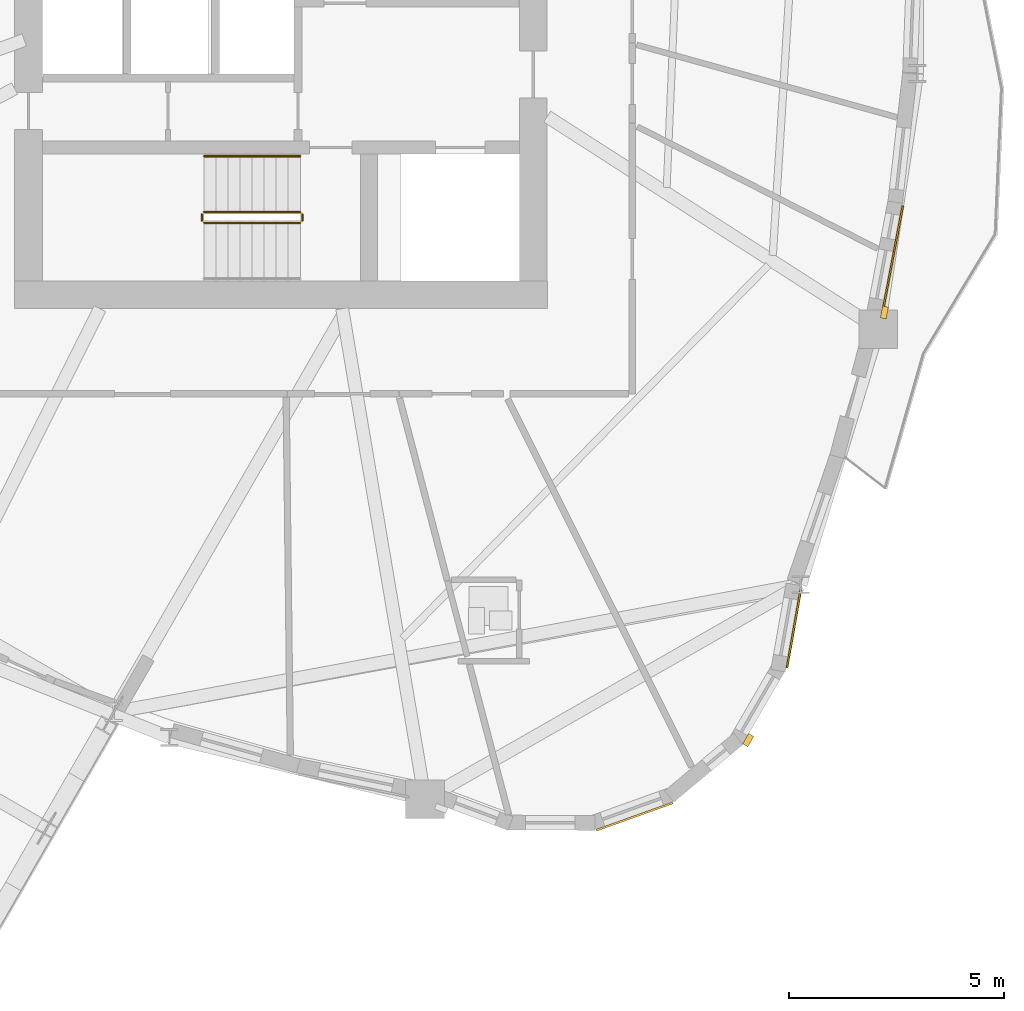
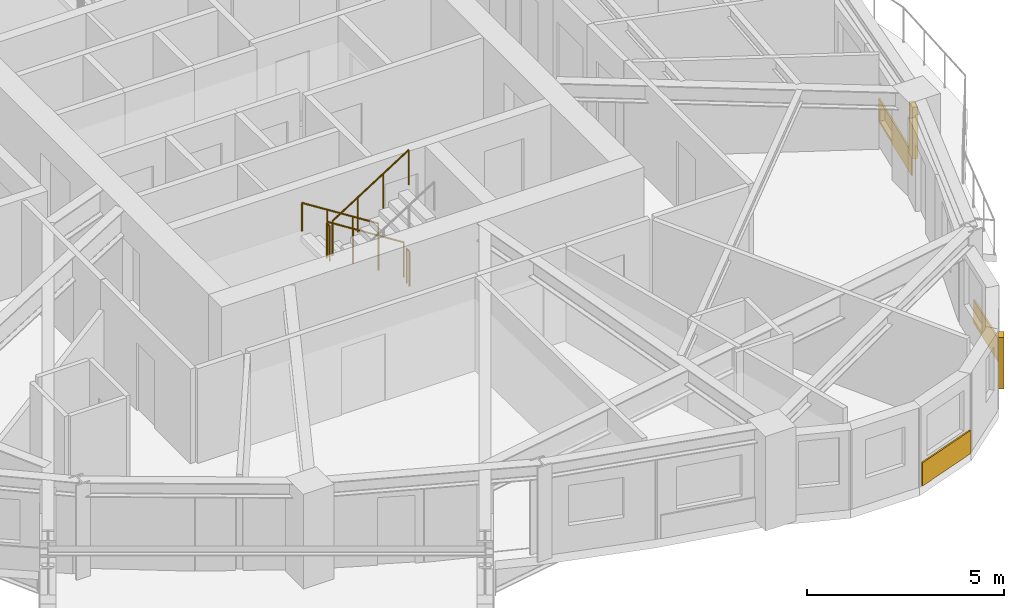
# One storey, part 14 of 17: 5 railings, 3 coverings, 2 shading devices.
"""IFC4 building model written with IfcOpenShell, lengths in metres."""

import ifcopenshell
import ifcopenshell.guid

model = None  # the IFC model being written
_history = None  # IfcOwnerHistory: only IFC2X3 demands one
_inside = {}  # id of a spatial element -> (the spatial element, [elements in it])
_under = {}  # id of a project, library or spatial element -> (it, [spatial elements below it])
_declared = {}  # id of a project -> (the project, [libraries it declares])
_typed = {}  # id of a type object -> (the type object, [elements of that type])
_made_of = {}  # id of a material, layer set ... -> (it, [elements and type objects made of it])


def new_model(schema):
    """Start an empty IFC model of exactly this schema.

    Asked for "IFC4X3", IfcOpenShell would pick the latest addendum, in which some entities
    have other attributes; the version numbers below select the first issue.
    IFC2X3 requires an IfcOwnerHistory on every rooted entity: one is made here for all.
    """
    global model, _history
    if schema == "IFC4X3":
        model = ifcopenshell.file(schema_version=(4, 3, 0, 0))
    else:
        model = ifcopenshell.file(schema=schema)
    _inside.clear()
    _under.clear()
    _declared.clear()
    _typed.clear()
    _made_of.clear()
    _history = None
    if model.schema == "IFC2X3":
        org = make("IfcOrganization", Name="unknown")
        user = make(
            "IfcPersonAndOrganization",
            ThePerson=make("IfcPerson", FamilyName="unknown"),
            TheOrganization=org,
        )
        app = make(
            "IfcApplication",
            ApplicationDeveloper=org,
            Version="unknown",
            ApplicationFullName="unknown",
            ApplicationIdentifier="unknown",
        )
        _history = make(
            "IfcOwnerHistory",
            OwningUser=user,
            OwningApplication=app,
            ChangeAction="ADDED",
            CreationDate=0,
        )
    return model


def make(cls, **values):
    """One entity of the class cls with the attributes given. An attribute that is None is left unset."""
    return model.create_entity(
        cls, **{name: value for name, value in values.items() if value is not None}
    )


def rooted(cls, **values):
    """An entity with a GlobalId (a new one), such as an element, a storey or a relation."""
    return make(cls, GlobalId=ifcopenshell.guid.new(), OwnerHistory=_history, **values)


def si_unit(unit_type, name, prefix=None):
    """IfcSIUnit, for example si_unit("LENGTHUNIT", "METRE", prefix="MILLI")."""
    return make("IfcSIUnit", UnitType=unit_type, Prefix=prefix, Name=name)


def assignment(units):
    """IfcUnitAssignment: the units of a project."""
    return None if units is None else make("IfcUnitAssignment", Units=units)


def point(xyz):
    """IfcCartesianPoint."""
    return None if xyz is None else make("IfcCartesianPoint", Coordinates=xyz)


def direction(xyz):
    """IfcDirection."""
    return None if xyz is None else make("IfcDirection", DirectionRatios=xyz)


def frame(location, z_axis=None, x_axis=None):
    """IfcAxis2Placement3D, a coordinate frame: its origin and axes. An axis left out is left unset."""
    return make(
        "IfcAxis2Placement3D",
        Location=point(location),
        Axis=direction(z_axis),
        RefDirection=direction(x_axis),
    )


def frame_2d(location, x_axis=None):
    """IfcAxis2Placement2D, a coordinate frame in the plane: its origin and x axis."""
    return make(
        "IfcAxis2Placement2D", Location=point(location), RefDirection=direction(x_axis)
    )


def origin():
    """The frame at (0, 0, 0) with its axes left unset."""
    return frame((0.0, 0.0, 0.0))


def origin_2d():
    """The frame at (0, 0) in the plane with its x axis left unset."""
    return frame_2d((0.0, 0.0))


def place(relative_to, where):
    """IfcLocalPlacement: puts the frame where relative to a parent placement (None: the world)."""
    return make(
        "IfcLocalPlacement", PlacementRelTo=relative_to, RelativePlacement=where
    )


def context(
    kind, dimensions, precision=None, world=None, true_north=None, identifier=None
):
    """IfcGeometricRepresentationContext, for example the 3D "Model" context."""
    return make(
        "IfcGeometricRepresentationContext",
        ContextIdentifier=identifier,
        ContextType=kind,
        CoordinateSpaceDimension=dimensions,
        Precision=precision,
        WorldCoordinateSystem=world,
        TrueNorth=true_north,
    )


def subcontext(parent, identifier, kind, view, scale=None):
    """IfcGeometricRepresentationSubContext, for example "Body" below "Model"."""
    return make(
        "IfcGeometricRepresentationSubContext",
        ContextIdentifier=identifier,
        ContextType=kind,
        ParentContext=parent,
        TargetScale=scale,
        TargetView=view,
    )


def project(units=None, contexts=None):
    """IfcProject with its units and contexts."""
    return rooted(
        "IfcProject",
        Name="project",
        RepresentationContexts=contexts,
        UnitsInContext=assignment(units),
    )


def spatial(cls, under=None, at=None, **own):
    """A site, building, storey or space (cls), placed at a placement, below another one or the project."""
    s = rooted(cls, ObjectPlacement=at, **own)
    if under is not None:
        _under.setdefault(under.id(), (under, []))[1].append(s)
    return s


def profile(cls, at=None, kind="AREA", **sizes):
    """A parametric profile (cls). Its sizes go by their IFC names, for example OverallWidth=200.0."""
    return make(cls, ProfileType=kind, Position=at, **sizes)


def rectangle(**sizes):
    """IfcRectangleProfileDef."""
    return profile("IfcRectangleProfileDef", **sizes)


def circle(**sizes):
    """IfcCircleProfileDef."""
    return profile("IfcCircleProfileDef", **sizes)


def extrude(swept, where, along, depth):
    """IfcExtrudedAreaSolid: the profile swept, set in the frame where, extruded along a direction by depth."""
    return make(
        "IfcExtrudedAreaSolid",
        SweptArea=swept,
        Position=where,
        ExtrudedDirection=direction(along),
        Depth=depth,
    )


def shape(context_of_items, identifier, shape_type, items):
    """IfcShapeRepresentation: the items that make up one representation, for example the "Body"."""
    return make(
        "IfcShapeRepresentation",
        ContextOfItems=context_of_items,
        RepresentationIdentifier=identifier,
        RepresentationType=shape_type,
        Items=items,
    )


def source(mapping_origin, context_of_items, identifier, shape_type, items):
    """IfcRepresentationMap: a shape defined once, which mapped items show again and again."""
    return make(
        "IfcRepresentationMap",
        MappingOrigin=mapping_origin,
        MappedRepresentation=shape(context_of_items, identifier, shape_type, items),
    )


def transform(
    local_origin,
    x_axis=None,
    y_axis=None,
    z_axis=None,
    scale=None,
    scale2=None,
    scale3=None,
    uniform=True,
):
    """IfcCartesianTransformationOperator3D, or its non-uniform kind. x_axis, y_axis, z_axis: its Axis1, 2, 3."""
    if uniform:
        return make(
            "IfcCartesianTransformationOperator3D",
            Axis1=direction(x_axis),
            Axis2=direction(y_axis),
            LocalOrigin=point(local_origin),
            Scale=scale,
            Axis3=direction(z_axis),
        )
    return make(
        "IfcCartesianTransformationOperator3DnonUniform",
        Axis1=direction(x_axis),
        Axis2=direction(y_axis),
        LocalOrigin=point(local_origin),
        Scale=scale,
        Axis3=direction(z_axis),
        Scale2=scale2,
        Scale3=scale3,
    )


def mapped(mapping_source, mapping_target):
    """IfcMappedItem: shows the shape of a source again, moved by a transform."""
    return make(
        "IfcMappedItem", MappingSource=mapping_source, MappingTarget=mapping_target
    )


def material(Name=None, Category=None):
    """IfcMaterial."""
    return make("IfcMaterial", Name=Name, Category=Category)


def layer(
    of_material, thickness, ventilated=None, Name=None, Category=None, Priority=None
):
    """IfcMaterialLayer: one layer of a wall or slab, of a material (None: an air gap)."""
    return make(
        "IfcMaterialLayer",
        Material=of_material,
        LayerThickness=thickness,
        IsVentilated=ventilated,
        Name=Name,
        Category=Category,
        Priority=Priority,
    )


def layer_set(layers, Name=None):
    """IfcMaterialLayerSet."""
    return make("IfcMaterialLayerSet", MaterialLayers=layers, LayerSetName=Name)


def made_of(thing, what):
    """Note that an element or type object is made of a material, layer set ...; save() writes the relation."""
    if what is not None:
        _made_of.setdefault(what.id(), (what, []))[1].append(thing)
    return thing


def type_object(cls, material=None, **own):
    """A type object (cls), such as IfcWallType, which elements share."""
    return made_of(rooted(cls, **own), material)


def element(
    cls,
    number,
    at=None,
    inside=None,
    cuts=None,
    type_object=None,
    material=None,
    context=None,
    identifier="Body",
    shape_type=None,
    held_by="IfcProductDefinitionShape",
    body=None,
    shapes=None,
    **own,
):
    """One element of the class cls, such as IfcWall. Its Tag is "e" and its number.

    at: its placement. inside: the storey or other place that contains it. cuts: it is an
    opening in that element (IfcRelVoidsElement). A single representation is given by context,
    identifier, shape_type and body (its items); several are given by shapes. held_by: the class
    of the entity that holds the representations. save() writes the other relations.
    """
    e = rooted(cls, Tag="e%d" % number, ObjectPlacement=at, **own)
    if body is not None:
        shapes = [shape(context, identifier, shape_type, body)]
    if shapes is not None:
        e.Representation = make(held_by, Representations=shapes)
    if inside is not None:
        _inside.setdefault(inside.id(), (inside, []))[1].append(e)
    if cuts is not None:
        rooted(
            "IfcRelVoidsElement", RelatingBuildingElement=cuts, RelatedOpeningElement=e
        )
    if type_object is not None:
        _typed.setdefault(type_object.id(), (type_object, []))[1].append(e)
    return made_of(e, material)


def aggregate(whole, parts):
    """IfcRelAggregates: a whole, such as a stair, and the parts it consists of."""
    return rooted("IfcRelAggregates", RelatingObject=whole, RelatedObjects=parts)


def save(model, path):
    """Write the relations noted so far, then the file.

    IfcRelAggregates (storeys below a building ...), IfcRelContainedInSpatialStructure (elements
    in a storey), IfcRelDefinesByType, IfcRelAssociatesMaterial and IfcRelDeclares: one each for
    every whole, place, type object, material and project.
    """
    for whole, parts in _under.values():
        aggregate(whole, parts)
    for where, things in _inside.values():
        rooted(
            "IfcRelContainedInSpatialStructure",
            RelatedElements=things,
            RelatingStructure=where,
        )
    for kind, things in _typed.values():
        rooted("IfcRelDefinesByType", RelatedObjects=things, RelatingType=kind)
    for what, things in _made_of.values():
        rooted("IfcRelAssociatesMaterial", RelatedObjects=things, RelatingMaterial=what)
    for by, libraries in _declared.values():
        rooted("IfcRelDeclares", RelatingContext=by, RelatedDefinitions=libraries)
    model.write(path)


model = new_model("IFC4")

# Units and contexts
model_context = context("Model", 3, precision=1e-05, world=origin(), true_north=direction((0.0, 1.0)))
body_context = subcontext(model_context, "Body", "Model", "MODEL_VIEW")
ifc_project = project(units=[si_unit("LENGTHUNIT", "METRE"), si_unit("AREAUNIT", "SQUARE_METRE"), si_unit("VOLUMEUNIT", "CUBIC_METRE"), si_unit("PLANEANGLEUNIT", "RADIAN"), si_unit("MASSUNIT", "GRAM", prefix="KILO")], contexts=[model_context])

# Site, building, storey
site_placement = place(None, origin())
site = spatial("IfcSite", under=ifc_project, at=site_placement, CompositionType="ELEMENT")
building_placement = place(site_placement, origin())
building = spatial("IfcBuilding", under=site, at=building_placement, Name="Qafzar Sky-Pleat Residences", CompositionType="ELEMENT")
storey_placement = place(building_placement, frame((0.0, 0.0, 108.800048828125)))
storey = spatial("IfcBuildingStorey", under=building, at=storey_placement, Name="L32", CompositionType="ELEMENT", Elevation=108.800048828125)

# Shading devices
ifc_material_1 = material(Name="Honed Riyadh limestone solar fin", Category="masonry")
ifc_layer_1 = layer(ifc_material_1, 0.139892578125)
ifc_layer_set_1 = layer_set([ifc_layer_1], Name="Honed Riyadh limestone solar fin")
shading_device_type = type_object("IfcShadingDeviceType", Name="SHD-FIN-STONE", PredefinedType="SHUTTER", material=ifc_layer_set_1)
shared_shape_1 = source(origin(), body_context, "Body", "SweptSolid", [
    extrude(rectangle(XDim=0.139892578125, YDim=0.280029296875, at=origin_2d()), origin(), (0.0, 0.0, 1.0), 1.60009765625),
])
for number, where, z_axis, x_axis, name in (
    (1, (41.22900390625, 7.50732421875, 0.599853515625), (0.0, 0.0, 1.0), (0.864874104555, -0.501988827833, 0.0), "L32 Limestone Solar Fin 21"),
    (2, (44.398681640625, 17.462890625, 0.599853515625), (0.0, 0.0, 1.0), (0.982428629764, -0.186638654679, 0.0), "L32 Limestone Solar Fin 25"),
):
    element("IfcShadingDevice", number, at=place(storey_placement, frame(where, z_axis=z_axis, x_axis=x_axis)), inside=storey, type_object=shading_device_type, Name=name, PredefinedType="SHUTTER", context=body_context, shape_type="MappedRepresentation", body=[
        mapped(shared_shape_1, transform((0.0, 0.0, 0.0), x_axis=(1.0, 0.0, 0.0), y_axis=(0.0, 1.0, 0.0), z_axis=(0.0, 0.0, 1.0), scale=1.0)),
    ])

# Coverings
ifc_material_2 = material(Name="Honed Riyadh Tuwaiq limestone cladding", Category="masonry")
ifc_layer_2 = layer(ifc_material_2, 0.044921875)
ifc_layer_set_2 = layer_set([ifc_layer_2], Name="Honed Riyadh Tuwaiq limestone cladding")
covering_type = type_object("IfcCoveringType", Name="COV-CLAD-STONE", PredefinedType="CLADDING", material=ifc_layer_set_2)
shared_shape_2 = source(origin(), body_context, "Body", "SweptSolid", [
    extrude(rectangle(XDim=1.88916015625, YDim=0.044921875, at=origin_2d()), origin(), (0.0, 0.0, 1.0), 0.719970703125),
])
covering_1_placement = place(storey_placement, frame((38.58203125, 5.726806640625, 0.02001953125), z_axis=(0.0, 0.0, 1.0), x_axis=(0.941482948476, 0.337060614325, 0.0)))
element("IfcCovering", 3, at=covering_1_placement, inside=storey, type_object=covering_type, Name="L32 Riyadh Limestone Spandrel Cladding 19", PredefinedType="CLADDING", context=body_context, shape_type="MappedRepresentation", body=[
    mapped(shared_shape_2, transform((0.0, 0.0, 0.0), x_axis=(1.0, 0.0, 0.0), y_axis=(0.0, 1.0, 0.0), z_axis=(0.0, 0.0, 1.0), scale=1.0)),
])
shared_shape_3 = source(origin(), body_context, "Body", "SweptSolid", [
    extrude(rectangle(XDim=1.8369140625, YDim=0.044921875, at=origin_2d()), origin(), (0.0, 0.0, 1.0), 0.719970703125),
])
covering_2_placement = place(storey_placement, frame((42.290283203125, 10.09619140625, 0.02001953125), z_axis=(0.0, 0.0, 1.0), x_axis=(0.174369449256, 0.984680300994, 0.0)))
element("IfcCovering", 4, at=covering_2_placement, inside=storey, type_object=covering_type, Name="L32 Riyadh Limestone Spandrel Cladding 22", PredefinedType="CLADDING", context=body_context, shape_type="MappedRepresentation", body=[
    mapped(shared_shape_3, transform((0.0, 0.0, 0.0), x_axis=(1.0, 0.0, 0.0), y_axis=(0.0, 1.0, 0.0), z_axis=(0.0, 0.0, 1.0), scale=1.0)),
])
shared_shape_4 = source(origin(), body_context, "Body", "SweptSolid", [
    extrude(rectangle(XDim=2.552734375, YDim=0.044921875, at=origin_2d()), origin(), (0.0, 0.0, 1.0), 0.719970703125),
])
covering_3_placement = place(storey_placement, frame((44.588134765625, 18.689697265625, 0.02001953125), z_axis=(0.0, 0.0, 1.0), x_axis=(0.186648735935, 0.982426714505, 0.0)))
element("IfcCovering", 5, at=covering_3_placement, inside=storey, type_object=covering_type, Name="L32 Riyadh Limestone Spandrel Cladding 25", PredefinedType="CLADDING", context=body_context, shape_type="MappedRepresentation", body=[
    mapped(shared_shape_4, transform((0.0, 0.0, 0.0), x_axis=(1.0, 0.0, 0.0), y_axis=(0.0, 1.0, 0.0), z_axis=(0.0, 0.0, 1.0), scale=1.0)),
])

# Railings
ifc_material_3 = material(Name="Painted Steel S355 stair guardrail", Category="steel")
railing_type_1 = type_object("IfcRailingType", Name="RAIL-STAIR-GUARD", PredefinedType="GUARDRAIL", material=ifc_material_3)
shared_shape_5 = source(origin(), body_context, "Body", "SweptSolid", [
    extrude(circle(Radius=0.02392578125, at=origin_2d()), frame((0.0, 0.0, 1.076171875), z_axis=(0.0, -1.0, 0.0), x_axis=(1.0, 0.0, 0.0)), (0.0, 0.0, 1.0), 0.14990234375),
    extrude(circle(Radius=0.02099609375, at=origin_2d()), origin(), (0.0, 0.0, 1.0), 1.052001953125),
    extrude(circle(Radius=0.02099609375, at=origin_2d()), frame((0.0, -0.14990234375, 0.0)), (0.0, 0.0, 1.0), 1.052001953125),
])
for number, where, name in (
    (6, (28.510009765625, 19.75, 1.599853515625), "L32 ST1 stair guard 2"),
    (7, (30.85009765625, 19.75, 0.0), "L32 ST1 stair guard 4"),
):
    element("IfcRailing", number, at=place(storey_placement, frame(where)), inside=storey, type_object=railing_type_1, Name=name, PredefinedType="GUARDRAIL", context=body_context, shape_type="MappedRepresentation", body=[
        mapped(shared_shape_5, transform((0.0, 0.0, 0.0), x_axis=(1.0, 0.0, 0.0), y_axis=(0.0, 1.0, 0.0), z_axis=(0.0, 0.0, 1.0), scale=1.0)),
    ])
shared_shape_6 = source(origin(), body_context, "Body", "SweptSolid", [
    extrude(circle(Radius=0.02392578125, at=origin_2d()), frame((0.0, 0.0, 1.076171875), z_axis=(-0.8442293374, 0.0, 0.53598211339), x_axis=(0.0, -1.0, 0.0)), (0.0, 0.0, 1.0), 2.6533203125),
    extrude(circle(Radius=0.02099609375, at=origin_2d()), origin(), (0.0, 0.0, 1.0), 1.052001953125),
    extrude(circle(Radius=0.02099609375, at=origin_2d()), frame((-0.74658203125, 0.0, 0.47412109375)), (0.0, 0.0, 1.0), 1.052001953125),
    extrude(circle(Radius=0.02099609375, at=origin_2d()), frame((-1.493408203125, 0.0, 0.947998046875)), (0.0, 0.0, 1.0), 1.052001953125),
    extrude(circle(Radius=0.02099609375, at=origin_2d()), frame((-2.239990234375, 0.0, 1.422119140625)), (0.0, 0.0, 1.0), 1.052001953125),
])
railing_1_placement = place(storey_placement, frame((30.800048828125, 19.800048828125, 0.177734375)))
element("IfcRailing", 8, at=railing_1_placement, inside=storey, type_object=railing_type_1, Name="L32 ST1 stair guard 1", PredefinedType="GUARDRAIL", context=body_context, shape_type="MappedRepresentation", body=[
    mapped(shared_shape_6, transform((0.0, 0.0, 0.0), x_axis=(1.0, 0.0, 0.0), y_axis=(0.0, 1.0, 0.0), z_axis=(0.0, 0.0, 1.0), scale=1.0)),
])
shared_shape_7 = source(origin(), body_context, "Body", "SweptSolid", [
    extrude(circle(Radius=0.02392578125, at=origin_2d()), frame((0.0, 0.0, 1.076171875), z_axis=(0.8442293374, 0.0, 0.53598211339), x_axis=(0.0, 1.0, 0.0)), (0.0, 0.0, 1.0), 2.6533203125),
    extrude(circle(Radius=0.02099609375, at=origin_2d()), origin(), (0.0, 0.0, 1.0), 1.052001953125),
    extrude(circle(Radius=0.02099609375, at=origin_2d()), frame((0.74658203125, 0.0, 0.47412109375)), (0.0, 0.0, 1.0), 1.052001953125),
    extrude(circle(Radius=0.02099609375, at=origin_2d()), frame((1.493408203125, 0.0, 0.947998046875)), (0.0, 0.0, 1.0), 1.052001953125),
    extrude(circle(Radius=0.02099609375, at=origin_2d()), frame((2.239990234375, 0.0, 1.422119140625)), (0.0, 0.0, 1.0), 1.052001953125),
])
railing_2_placement = place(storey_placement, frame((28.56005859375, 19.550048828125, 1.77783203125)))
element("IfcRailing", 9, at=railing_2_placement, inside=storey, type_object=railing_type_1, Name="L32 ST1 stair guard 3", PredefinedType="GUARDRAIL", context=body_context, shape_type="MappedRepresentation", body=[
    mapped(shared_shape_7, transform((0.0, 0.0, 0.0), x_axis=(1.0, 0.0, 0.0), y_axis=(0.0, 1.0, 0.0), z_axis=(0.0, 0.0, 1.0), scale=1.0)),
])
ifc_material_4 = material(Name="Brushed stainless steel handrail", Category="steel")
railing_type_2 = type_object("IfcRailingType", Name="RAIL-STAIR-HAND", PredefinedType="HANDRAIL", material=ifc_material_4)
shared_shape_8 = source(origin(), body_context, "Body", "SweptSolid", [
    extrude(circle(Radius=0.02392578125, at=origin_2d()), frame((0.0, 0.0, 0.8759765625), z_axis=(-0.8442293374, 0.0, 0.53598211339), x_axis=(0.0, -1.0, 0.0)), (0.0, 0.0, 1.0), 2.6533203125),
    extrude(circle(Radius=0.02099609375, at=origin_2d()), origin(), (0.0, 0.0, 1.0), 0.851806640625),
    extrude(circle(Radius=0.02099609375, at=origin_2d()), frame((-0.74658203125, 0.0, 0.47412109375)), (0.0, 0.0, 1.0), 0.851806640625),
    extrude(circle(Radius=0.02099609375, at=origin_2d()), frame((-1.493408203125, 0.0, 0.947998046875)), (0.0, 0.0, 1.0), 0.851806640625),
    extrude(circle(Radius=0.02099609375, at=origin_2d()), frame((-2.239990234375, 0.0, 1.422119140625)), (0.0, 0.0, 1.0), 0.851806640625),
])
railing_3_placement = place(storey_placement, frame((30.800048828125, 21.10009765625, 0.177734375)))
element("IfcRailing", 10, at=railing_3_placement, inside=storey, type_object=railing_type_2, Name="L32 ST1 stair handrail 1", PredefinedType="HANDRAIL", context=body_context, shape_type="MappedRepresentation", body=[
    mapped(shared_shape_8, transform((0.0, 0.0, 0.0), x_axis=(1.0, 0.0, 0.0), y_axis=(0.0, 1.0, 0.0), z_axis=(0.0, 0.0, 1.0), scale=1.0)),
])

save(model, "model.ifc")
